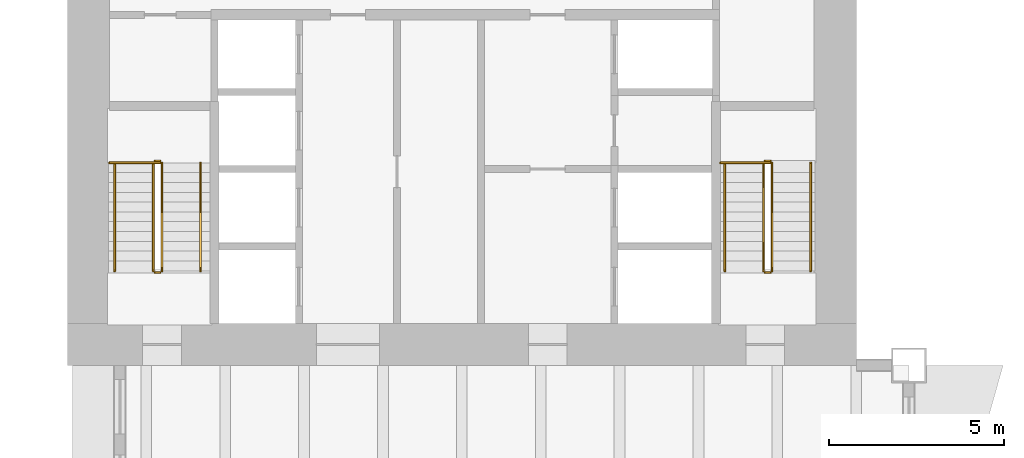
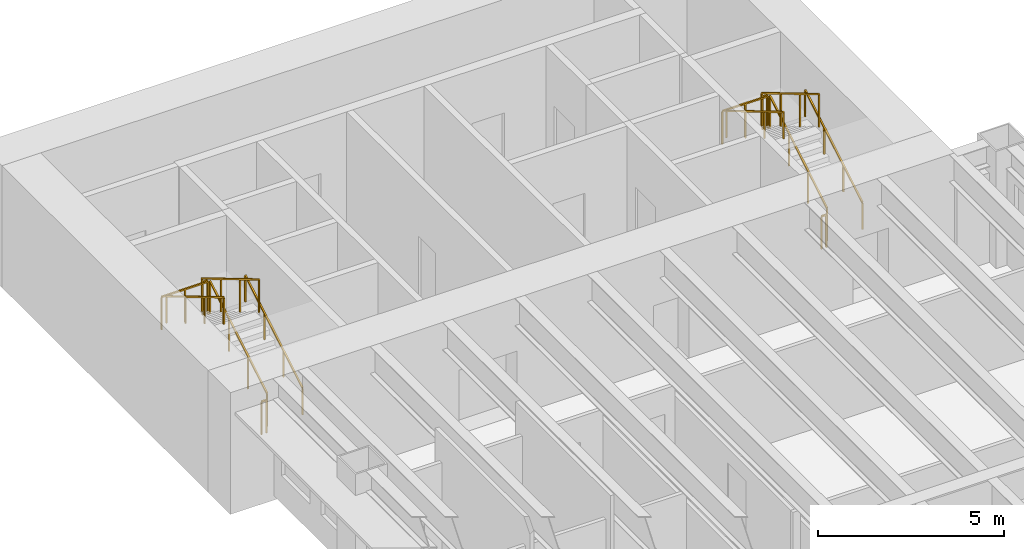
# One storey, part 16 of 16: 14 railings.
"""IFC4 building model written with IfcOpenShell, lengths in metres."""

from ifc_helpers import new_model, si_unit, direction, frame, origin, origin_2d, place, context, subcontext, project, spatial, rectangle, extrude, material, type_object, element, save


model = new_model("IFC4")

# Units and contexts
model_context = context("Model", 3, precision=1e-05, world=origin(), true_north=direction((0.0, 1.0)))
body_context = subcontext(model_context, "Body", "Model", "MODEL_VIEW")
ifc_project = project(units=[si_unit("LENGTHUNIT", "METRE"), si_unit("AREAUNIT", "SQUARE_METRE"), si_unit("VOLUMEUNIT", "CUBIC_METRE"), si_unit("PLANEANGLEUNIT", "RADIAN"), si_unit("MASSUNIT", "GRAM", prefix="KILO")], contexts=[model_context])

# Site, building, storey
site_placement = place(None, origin())
site = spatial("IfcSite", under=ifc_project, at=site_placement, CompositionType="ELEMENT")
building_placement = place(site_placement, origin())
building = spatial("IfcBuilding", under=site, at=building_placement, Name="Sennacour Bend Tower", CompositionType="ELEMENT")
storey_placement = place(building_placement, frame((0.0, 0.0, 107.0)))
storey = spatial("IfcBuildingStorey", under=building, at=storey_placement, Name="L24", CompositionType="ELEMENT", Elevation=107.0)

# Railings
ifc_material = material(Name="Stainless steel", Category="steel")
railing_type_1 = type_object("IfcRailingType", Name="RL-GUARD-1100", PredefinedType="GUARDRAIL", material=ifc_material)
railing_1_placement = place(storey_placement, frame((2.699951171875, 38.699951171875, 0.166748046875)))
element("IfcRailing", 1, at=railing_1_placement, inside=storey, type_object=railing_type_1, Name="L24 SB1 stair guard 1", PredefinedType="GUARDRAIL", context=body_context, shape_type="SweptSolid", body=[
    extrude(rectangle(XDim=0.048095703125, YDim=0.048095703125, at=origin_2d()), frame((0.0, 0.0, 1.076171875), z_axis=(0.0, 0.859308565015, 0.511457515432), x_axis=(-1.0, 0.0, 0.0)), (0.0, 0.0, 1.0), 3.58447265625),
    extrude(rectangle(XDim=0.0419921875, YDim=0.0419921875, at=origin_2d()), origin(), (0.0, 0.0, 1.0), 1.052001953125),
    extrude(rectangle(XDim=0.0419921875, YDim=0.0419921875, at=origin_2d()), frame((0.0, 1.026611328125, 0.611083984375)), (0.0, 0.0, 1.0), 1.052001953125),
    extrude(rectangle(XDim=0.0419921875, YDim=0.0419921875, at=origin_2d()), frame((0.0, 2.053466796875, 1.22216796875)), (0.0, 0.0, 1.0), 1.052001953125),
    extrude(rectangle(XDim=0.0419921875, YDim=0.0419921875, at=origin_2d()), frame((0.0, 3.080078125, 1.833251953125)), (0.0, 0.0, 1.0), 1.052001953125),
])
railing_2_placement = place(storey_placement, frame((2.64990234375, 41.830078125, 2.0)))
element("IfcRailing", 2, at=railing_2_placement, inside=storey, type_object=railing_type_1, Name="L24 SB1 stair guard 2", PredefinedType="GUARDRAIL", context=body_context, shape_type="SweptSolid", body=[
    extrude(rectangle(XDim=0.048095703125, YDim=0.048095703125, at=origin_2d()), frame((0.0, 0.0, 1.076171875), z_axis=(-1.0, 0.0, 0.0), x_axis=(0.0, -1.0, 0.0)), (0.0, 0.0, 1.0), 0.14990234375),
    extrude(rectangle(XDim=0.0419921875, YDim=0.0419921875, at=origin_2d()), origin(), (0.0, 0.0, 1.0), 1.052001953125),
    extrude(rectangle(XDim=0.0419921875, YDim=0.0419921875, at=origin_2d()), frame((-0.14990234375, 0.0, 0.0)), (0.0, 0.0, 1.0), 1.052001953125),
])
railing_3_placement = place(storey_placement, frame((2.449951171875, 41.780029296875, 2.166748046875)))
element("IfcRailing", 3, at=railing_3_placement, inside=storey, type_object=railing_type_1, Name="L24 SB1 stair guard 4", PredefinedType="GUARDRAIL", context=body_context, shape_type="SweptSolid", body=[
    extrude(rectangle(XDim=0.048095703125, YDim=0.048095703125, at=origin_2d()), frame((0.0, 0.0, 1.076171875), z_axis=(0.0, -0.859308565015, 0.511457515432), x_axis=(1.0, 0.0, 0.0)), (0.0, 0.0, 1.0), 3.58447265625),
    extrude(rectangle(XDim=0.0419921875, YDim=0.0419921875, at=origin_2d()), origin(), (0.0, 0.0, 1.0), 1.052001953125),
    extrude(rectangle(XDim=0.0419921875, YDim=0.0419921875, at=origin_2d()), frame((0.0, -1.026611328125, 0.611083984375)), (0.0, 0.0, 1.0), 1.052001953125),
    extrude(rectangle(XDim=0.0419921875, YDim=0.0419921875, at=origin_2d()), frame((0.0, -2.053466796875, 1.22216796875)), (0.0, 0.0, 1.0), 1.052001953125),
    extrude(rectangle(XDim=0.0419921875, YDim=0.0419921875, at=origin_2d()), frame((0.0, -3.080078125, 1.833251953125)), (0.0, 0.0, 1.0), 1.052001953125),
])
railing_4_placement = place(storey_placement, frame((2.64990234375, 38.64990234375, 0.0)))
element("IfcRailing", 4, at=railing_4_placement, inside=storey, type_object=railing_type_1, Name="L24 SB1 stair guard 5", PredefinedType="GUARDRAIL", context=body_context, shape_type="SweptSolid", body=[
    extrude(rectangle(XDim=0.048095703125, YDim=0.048095703125, at=origin_2d()), frame((0.0, 0.0, 1.076171875), z_axis=(-1.0, 0.0, 0.0), x_axis=(0.0, -1.0, 0.0)), (0.0, 0.0, 1.0), 0.14990234375),
    extrude(rectangle(XDim=0.0419921875, YDim=0.0419921875, at=origin_2d()), origin(), (0.0, 0.0, 1.0), 1.052001953125),
    extrude(rectangle(XDim=0.0419921875, YDim=0.0419921875, at=origin_2d()), frame((-0.14990234375, 0.0, 0.0)), (0.0, 0.0, 1.0), 1.052001953125),
])
railing_5_placement = place(storey_placement, frame((2.64990234375, 41.780029296875, 2.0)))
element("IfcRailing", 5, at=railing_5_placement, inside=storey, type_object=railing_type_1, Name="L24 SB1 landing edge guard 47", PredefinedType="GUARDRAIL", context=body_context, shape_type="SweptSolid", body=[
    extrude(rectangle(XDim=0.048095703125, YDim=0.048095703125, at=origin_2d()), frame((0.0, 0.0, 1.076171875), z_axis=(-1.0, 0.0, 0.0), x_axis=(0.0, -1.0, 0.0)), (0.0, 0.0, 1.0), 1.449951171875),
    extrude(rectangle(XDim=0.0419921875, YDim=0.0419921875, at=origin_2d()), origin(), (0.0, 0.0, 1.0), 1.052001953125),
    extrude(rectangle(XDim=0.0419921875, YDim=0.0419921875, at=origin_2d()), frame((-0.72509765625, 0.0, 0.0)), (0.0, 0.0, 1.0), 1.052001953125),
    extrude(rectangle(XDim=0.0419921875, YDim=0.0419921875, at=origin_2d()), frame((-1.449951171875, 0.0, 0.0)), (0.0, 0.0, 1.0), 1.052001953125),
])
railing_6_placement = place(storey_placement, frame((20.10009765625, 38.699951171875, 0.166748046875)))
element("IfcRailing", 6, at=railing_6_placement, inside=storey, type_object=railing_type_1, Name="L24 SB2 stair guard 1", PredefinedType="GUARDRAIL", context=body_context, shape_type="SweptSolid", body=[
    extrude(rectangle(XDim=0.048095703125, YDim=0.048095703125, at=origin_2d()), frame((0.0, 0.0, 1.076171875), z_axis=(0.0, 0.859308565015, 0.511457515432), x_axis=(-1.0, 0.0, 0.0)), (0.0, 0.0, 1.0), 3.58447265625),
    extrude(rectangle(XDim=0.0419921875, YDim=0.0419921875, at=origin_2d()), origin(), (0.0, 0.0, 1.0), 1.052001953125),
    extrude(rectangle(XDim=0.0419921875, YDim=0.0419921875, at=origin_2d()), frame((0.0, 1.026611328125, 0.611083984375)), (0.0, 0.0, 1.0), 1.052001953125),
    extrude(rectangle(XDim=0.0419921875, YDim=0.0419921875, at=origin_2d()), frame((0.0, 2.053466796875, 1.22216796875)), (0.0, 0.0, 1.0), 1.052001953125),
    extrude(rectangle(XDim=0.0419921875, YDim=0.0419921875, at=origin_2d()), frame((0.0, 3.080078125, 1.833251953125)), (0.0, 0.0, 1.0), 1.052001953125),
])
railing_7_placement = place(storey_placement, frame((20.050048828125, 41.830078125, 2.0)))
element("IfcRailing", 7, at=railing_7_placement, inside=storey, type_object=railing_type_1, Name="L24 SB2 stair guard 2", PredefinedType="GUARDRAIL", context=body_context, shape_type="SweptSolid", body=[
    extrude(rectangle(XDim=0.048095703125, YDim=0.048095703125, at=origin_2d()), frame((0.0, 0.0, 1.076171875), z_axis=(-1.0, 0.0, 0.0), x_axis=(0.0, -1.0, 0.0)), (0.0, 0.0, 1.0), 0.150146484375),
    extrude(rectangle(XDim=0.0419921875, YDim=0.0419921875, at=origin_2d()), origin(), (0.0, 0.0, 1.0), 1.052001953125),
    extrude(rectangle(XDim=0.0419921875, YDim=0.0419921875, at=origin_2d()), frame((-0.150146484375, 0.0, 0.0)), (0.0, 0.0, 1.0), 1.052001953125),
])
railing_8_placement = place(storey_placement, frame((19.85009765625, 41.780029296875, 2.166748046875)))
element("IfcRailing", 8, at=railing_8_placement, inside=storey, type_object=railing_type_1, Name="L24 SB2 stair guard 4", PredefinedType="GUARDRAIL", context=body_context, shape_type="SweptSolid", body=[
    extrude(rectangle(XDim=0.048095703125, YDim=0.048095703125, at=origin_2d()), frame((0.0, 0.0, 1.076171875), z_axis=(0.0, -0.859308565015, 0.511457515432), x_axis=(1.0, 0.0, 0.0)), (0.0, 0.0, 1.0), 3.58447265625),
    extrude(rectangle(XDim=0.0419921875, YDim=0.0419921875, at=origin_2d()), origin(), (0.0, 0.0, 1.0), 1.052001953125),
    extrude(rectangle(XDim=0.0419921875, YDim=0.0419921875, at=origin_2d()), frame((0.0, -1.026611328125, 0.611083984375)), (0.0, 0.0, 1.0), 1.052001953125),
    extrude(rectangle(XDim=0.0419921875, YDim=0.0419921875, at=origin_2d()), frame((0.0, -2.053466796875, 1.22216796875)), (0.0, 0.0, 1.0), 1.052001953125),
    extrude(rectangle(XDim=0.0419921875, YDim=0.0419921875, at=origin_2d()), frame((0.0, -3.080078125, 1.833251953125)), (0.0, 0.0, 1.0), 1.052001953125),
])
railing_9_placement = place(storey_placement, frame((20.050048828125, 38.64990234375, 0.0)))
element("IfcRailing", 9, at=railing_9_placement, inside=storey, type_object=railing_type_1, Name="L24 SB2 stair guard 5", PredefinedType="GUARDRAIL", context=body_context, shape_type="SweptSolid", body=[
    extrude(rectangle(XDim=0.048095703125, YDim=0.048095703125, at=origin_2d()), frame((0.0, 0.0, 1.076171875), z_axis=(-1.0, 0.0, 0.0), x_axis=(0.0, -1.0, 0.0)), (0.0, 0.0, 1.0), 0.150146484375),
    extrude(rectangle(XDim=0.0419921875, YDim=0.0419921875, at=origin_2d()), origin(), (0.0, 0.0, 1.0), 1.052001953125),
    extrude(rectangle(XDim=0.0419921875, YDim=0.0419921875, at=origin_2d()), frame((-0.150146484375, 0.0, 0.0)), (0.0, 0.0, 1.0), 1.052001953125),
])
railing_10_placement = place(storey_placement, frame((20.050048828125, 41.780029296875, 2.0)))
element("IfcRailing", 10, at=railing_10_placement, inside=storey, type_object=railing_type_1, Name="L24 SB2 landing edge guard 37", PredefinedType="GUARDRAIL", context=body_context, shape_type="SweptSolid", body=[
    extrude(rectangle(XDim=0.048095703125, YDim=0.048095703125, at=origin_2d()), frame((0.0, 0.0, 1.076171875), z_axis=(-1.0, 0.0, 0.0), x_axis=(0.0, -1.0, 0.0)), (0.0, 0.0, 1.0), 1.425048828125),
    extrude(rectangle(XDim=0.0419921875, YDim=0.0419921875, at=origin_2d()), origin(), (0.0, 0.0, 1.0), 1.052001953125),
    extrude(rectangle(XDim=0.0419921875, YDim=0.0419921875, at=origin_2d()), frame((-0.71240234375, 0.0, 0.0)), (0.0, 0.0, 1.0), 1.052001953125),
    extrude(rectangle(XDim=0.0419921875, YDim=0.0419921875, at=origin_2d()), frame((-1.425048828125, 0.0, 0.0)), (0.0, 0.0, 1.0), 1.052001953125),
])
railing_type_2 = type_object("IfcRailingType", Name="RL-HANDRAIL-900", PredefinedType="HANDRAIL", material=ifc_material)
railing_11_placement = place(storey_placement, frame((3.800048828125, 38.699951171875, 0.166748046875)))
element("IfcRailing", 11, at=railing_11_placement, inside=storey, type_object=railing_type_2, Name="L24 SB1 stair handrail 1", PredefinedType="HANDRAIL", context=body_context, shape_type="SweptSolid", body=[
    extrude(rectangle(XDim=0.048095703125, YDim=0.048095703125, at=origin_2d()), frame((0.0, 0.0, 0.8759765625), z_axis=(0.0, 0.859308565015, 0.511457515432), x_axis=(-1.0, 0.0, 0.0)), (0.0, 0.0, 1.0), 3.58447265625),
    extrude(rectangle(XDim=0.0419921875, YDim=0.0419921875, at=origin_2d()), origin(), (0.0, 0.0, 1.0), 0.851806640625),
    extrude(rectangle(XDim=0.0419921875, YDim=0.0419921875, at=origin_2d()), frame((0.0, 1.026611328125, 0.611083984375)), (0.0, 0.0, 1.0), 0.851806640625),
    extrude(rectangle(XDim=0.0419921875, YDim=0.0419921875, at=origin_2d()), frame((0.0, 2.053466796875, 1.22216796875)), (0.0, 0.0, 1.0), 0.851806640625),
    extrude(rectangle(XDim=0.0419921875, YDim=0.0419921875, at=origin_2d()), frame((0.0, 3.080078125, 1.833251953125)), (0.0, 0.0, 1.0), 0.851806640625),
])
railing_12_placement = place(storey_placement, frame((1.35009765625, 41.780029296875, 2.166748046875)))
element("IfcRailing", 12, at=railing_12_placement, inside=storey, type_object=railing_type_2, Name="L24 SB1 stair handrail 2", PredefinedType="HANDRAIL", context=body_context, shape_type="SweptSolid", body=[
    extrude(rectangle(XDim=0.048095703125, YDim=0.048095703125, at=origin_2d()), frame((0.0, 0.0, 0.8759765625), z_axis=(0.0, -0.859308565015, 0.511457515432), x_axis=(1.0, 0.0, 0.0)), (0.0, 0.0, 1.0), 3.58447265625),
    extrude(rectangle(XDim=0.0419921875, YDim=0.0419921875, at=origin_2d()), origin(), (0.0, 0.0, 1.0), 0.851806640625),
    extrude(rectangle(XDim=0.0419921875, YDim=0.0419921875, at=origin_2d()), frame((0.0, -1.026611328125, 0.611083984375)), (0.0, 0.0, 1.0), 0.851806640625),
    extrude(rectangle(XDim=0.0419921875, YDim=0.0419921875, at=origin_2d()), frame((0.0, -2.053466796875, 1.22216796875)), (0.0, 0.0, 1.0), 0.851806640625),
    extrude(rectangle(XDim=0.0419921875, YDim=0.0419921875, at=origin_2d()), frame((0.0, -3.080078125, 1.833251953125)), (0.0, 0.0, 1.0), 0.851806640625),
])
railing_13_placement = place(storey_placement, frame((21.199951171875, 38.699951171875, 0.166748046875)))
element("IfcRailing", 13, at=railing_13_placement, inside=storey, type_object=railing_type_2, Name="L24 SB2 stair handrail 1", PredefinedType="HANDRAIL", context=body_context, shape_type="SweptSolid", body=[
    extrude(rectangle(XDim=0.048095703125, YDim=0.048095703125, at=origin_2d()), frame((0.0, 0.0, 0.8759765625), z_axis=(0.0, 0.859308565015, 0.511457515432), x_axis=(-1.0, 0.0, 0.0)), (0.0, 0.0, 1.0), 3.58447265625),
    extrude(rectangle(XDim=0.0419921875, YDim=0.0419921875, at=origin_2d()), origin(), (0.0, 0.0, 1.0), 0.851806640625),
    extrude(rectangle(XDim=0.0419921875, YDim=0.0419921875, at=origin_2d()), frame((0.0, 1.026611328125, 0.611083984375)), (0.0, 0.0, 1.0), 0.851806640625),
    extrude(rectangle(XDim=0.0419921875, YDim=0.0419921875, at=origin_2d()), frame((0.0, 2.053466796875, 1.22216796875)), (0.0, 0.0, 1.0), 0.851806640625),
    extrude(rectangle(XDim=0.0419921875, YDim=0.0419921875, at=origin_2d()), frame((0.0, 3.080078125, 1.833251953125)), (0.0, 0.0, 1.0), 0.851806640625),
])
railing_14_placement = place(storey_placement, frame((18.75, 41.780029296875, 2.166748046875)))
element("IfcRailing", 14, at=railing_14_placement, inside=storey, type_object=railing_type_2, Name="L24 SB2 stair handrail 2", PredefinedType="HANDRAIL", context=body_context, shape_type="SweptSolid", body=[
    extrude(rectangle(XDim=0.048095703125, YDim=0.048095703125, at=origin_2d()), frame((0.0, 0.0, 0.8759765625), z_axis=(0.0, -0.859308565015, 0.511457515432), x_axis=(1.0, 0.0, 0.0)), (0.0, 0.0, 1.0), 3.58447265625),
    extrude(rectangle(XDim=0.0419921875, YDim=0.0419921875, at=origin_2d()), origin(), (0.0, 0.0, 1.0), 0.851806640625),
    extrude(rectangle(XDim=0.0419921875, YDim=0.0419921875, at=origin_2d()), frame((0.0, -1.026611328125, 0.611083984375)), (0.0, 0.0, 1.0), 0.851806640625),
    extrude(rectangle(XDim=0.0419921875, YDim=0.0419921875, at=origin_2d()), frame((0.0, -2.053466796875, 1.22216796875)), (0.0, 0.0, 1.0), 0.851806640625),
    extrude(rectangle(XDim=0.0419921875, YDim=0.0419921875, at=origin_2d()), frame((0.0, -3.080078125, 1.833251953125)), (0.0, 0.0, 1.0), 0.851806640625),
])

save(model, "model.ifc")
